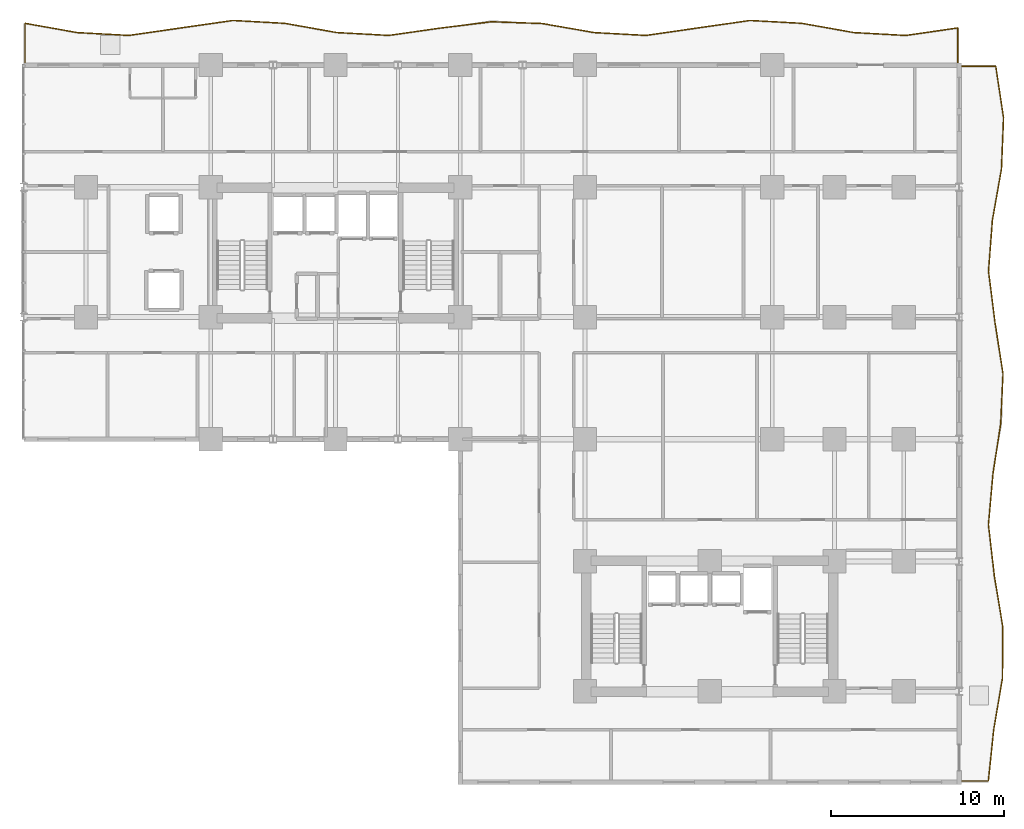
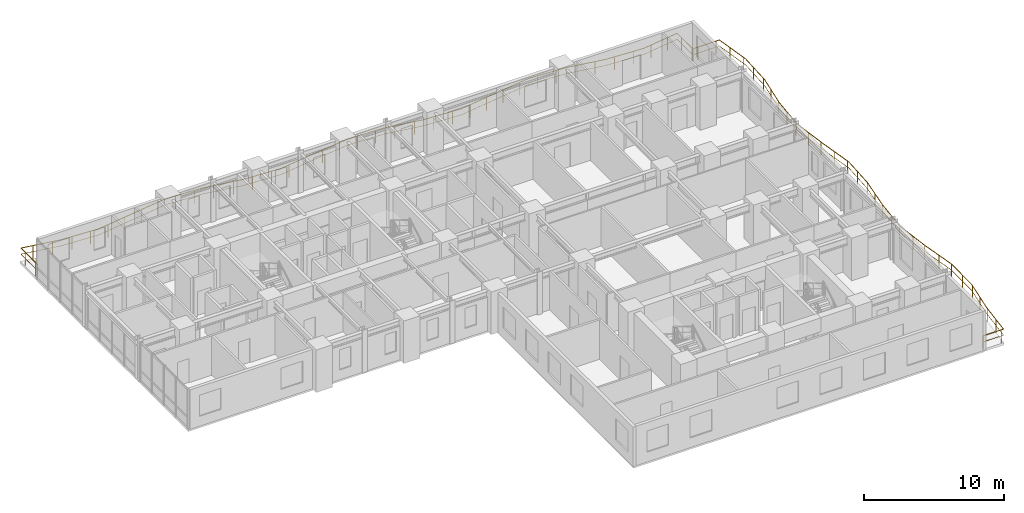
# One storey, part 19 of 19: 2 railings.
"""IFC4 building model written with IfcOpenShell, lengths in metres."""

from ifc_helpers import new_model, si_unit, direction, frame, origin, origin_2d, place, context, subcontext, project, spatial, rectangle, extrude, material, type_object, element, save


model = new_model("IFC4")

# Units and contexts
model_context = context("Model", 3, precision=1e-05, world=origin(), true_north=direction((0.0, 1.0)))
body_context = subcontext(model_context, "Body", "Model", "MODEL_VIEW")
ifc_project = project(units=[si_unit("LENGTHUNIT", "METRE"), si_unit("AREAUNIT", "SQUARE_METRE"), si_unit("VOLUMEUNIT", "CUBIC_METRE"), si_unit("PLANEANGLEUNIT", "RADIAN"), si_unit("MASSUNIT", "GRAM", prefix="KILO")], contexts=[model_context])

# Site, building, storey
site_placement = place(None, origin())
site = spatial("IfcSite", under=ifc_project, at=site_placement, CompositionType="ELEMENT")
building_placement = place(site_placement, origin())
building = spatial("IfcBuilding", under=site, at=building_placement, Name="Kaliganga Portal Commons", CompositionType="ELEMENT")
storey_placement = place(building_placement, frame((0.0, 0.0, 47.5)))
storey = spatial("IfcBuildingStorey", under=building, at=storey_placement, Name="L11", CompositionType="ELEMENT", Elevation=47.5)

# Railings
ifc_material = material(Name="Laminated Safety Glass and Stainless Steel 316", Category="steel")
railing_type = type_object("IfcRailingType", Name="RLG-BAL-1150", PredefinedType="BALUSTRADE", material=ifc_material)
railing_1_placement = place(storey_placement, frame((57.520263671875, 43.205810546875, 0.0)))
element("IfcRailing", 1, at=railing_1_placement, inside=storey, type_object=railing_type, Name="Balcony Guardrail L11 balc_north", PredefinedType="BALUSTRADE", context=body_context, shape_type="SweptSolid", body=[
    extrude(rectangle(XDim=0.048095703125, YDim=0.048095703125, at=origin_2d()), frame((0.0, 0.0, 1.1259765625), z_axis=(-0.000114259597, 0.999999993472, 0.0), x_axis=(-0.999999993472, -0.000114259597, 0.0)), (0.0, 0.0, 1.0), 2.13671875),
    extrude(rectangle(XDim=0.028076171875, YDim=0.028076171875, at=origin_2d()), frame((0.0, 0.0, 0.597900390625), z_axis=(-0.000114259597, 0.999999993472, 0.0), x_axis=(-0.999999993472, -0.000114259597, 0.0)), (0.0, 0.0, 1.0), 2.13671875),
    extrude(rectangle(XDim=0.048095703125, YDim=0.048095703125, at=origin_2d()), frame((-0.000244140625, 2.13671875, 1.1259765625), z_axis=(-0.989750378619, -0.142808221134, 0.0), x_axis=(0.142808221134, -0.989750378619, 0.0)), (0.0, 0.0, 1.0), 3.031005859375),
    extrude(rectangle(XDim=0.028076171875, YDim=0.028076171875, at=origin_2d()), frame((-0.000244140625, 2.13671875, 0.597900390625), z_axis=(-0.989750378619, -0.142808221134, 0.0), x_axis=(0.142808221134, -0.989750378619, 0.0)), (0.0, 0.0, 1.0), 3.031005859375),
    extrude(rectangle(XDim=0.048095703125, YDim=0.048095703125, at=origin_2d()), frame((-3.000244140625, 1.703857421875, 1.1259765625), z_axis=(-0.998485749874, 0.055010974338, 0.0), x_axis=(-0.055010974338, -0.998485749874, 0.0)), (0.0, 0.0, 1.0), 3.004638671875),
    extrude(rectangle(XDim=0.028076171875, YDim=0.028076171875, at=origin_2d()), frame((-3.000244140625, 1.703857421875, 0.597900390625), z_axis=(-0.998485749874, 0.055010974338, 0.0), x_axis=(-0.055010974338, -0.998485749874, 0.0)), (0.0, 0.0, 1.0), 3.004638671875),
    extrude(rectangle(XDim=0.048095703125, YDim=0.048095703125, at=origin_2d()), frame((-6.000244140625, 1.869140625, 1.1259765625), z_axis=(-0.984486939112, 0.175457877332, 0.0), x_axis=(-0.175457877332, -0.984486939112, 0.0)), (0.0, 0.0, 1.0), 3.04736328125),
    extrude(rectangle(XDim=0.028076171875, YDim=0.028076171875, at=origin_2d()), frame((-6.000244140625, 1.869140625, 0.597900390625), z_axis=(-0.984486939112, 0.175457877332, 0.0), x_axis=(-0.175457877332, -0.984486939112, 0.0)), (0.0, 0.0, 1.0), 3.04736328125),
    extrude(rectangle(XDim=0.048095703125, YDim=0.048095703125, at=origin_2d()), frame((-9.000244140625, 2.40380859375, 1.1259765625), z_axis=(-0.998499110246, 0.054767936223, 0.0), x_axis=(-0.054767936223, -0.998499110246, 0.0)), (0.0, 0.0, 1.0), 3.00439453125),
    extrude(rectangle(XDim=0.028076171875, YDim=0.028076171875, at=origin_2d()), frame((-9.000244140625, 2.40380859375, 0.597900390625), z_axis=(-0.998499110246, 0.054767936223, 0.0), x_axis=(-0.054767936223, -0.998499110246, 0.0)), (0.0, 0.0, 1.0), 3.00439453125),
    extrude(rectangle(XDim=0.048095703125, YDim=0.048095703125, at=origin_2d()), frame((-12.000244140625, 2.568359375, 1.1259765625), z_axis=(-0.989773136054, -0.14265040885, 0.0), x_axis=(0.14265040885, -0.989773136054, 0.0)), (0.0, 0.0, 1.0), 3.031005859375),
    extrude(rectangle(XDim=0.028076171875, YDim=0.028076171875, at=origin_2d()), frame((-12.000244140625, 2.568359375, 0.597900390625), z_axis=(-0.989773136054, -0.14265040885, 0.0), x_axis=(0.14265040885, -0.989773136054, 0.0)), (0.0, 0.0, 1.0), 3.031005859375),
    extrude(rectangle(XDim=0.048095703125, YDim=0.048095703125, at=origin_2d()), frame((-15.000244140625, 2.135986328125, 1.1259765625), z_axis=(-0.989841263629, -0.142176906763, 0.0), x_axis=(0.142176906763, -0.989841263629, 0.0)), (0.0, 0.0, 1.0), 3.03076171875),
    extrude(rectangle(XDim=0.028076171875, YDim=0.028076171875, at=origin_2d()), frame((-15.000244140625, 2.135986328125, 0.597900390625), z_axis=(-0.989841263629, -0.142176906763, 0.0), x_axis=(0.142176906763, -0.989841263629, 0.0)), (0.0, 0.0, 1.0), 3.03076171875),
    extrude(rectangle(XDim=0.048095703125, YDim=0.048095703125, at=origin_2d()), frame((-18.000244140625, 1.705078125, 1.1259765625), z_axis=(-0.998499110246, 0.054767936223, 0.0), x_axis=(-0.054767936223, -0.998499110246, 0.0)), (0.0, 0.0, 1.0), 3.00439453125),
    extrude(rectangle(XDim=0.028076171875, YDim=0.028076171875, at=origin_2d()), frame((-18.000244140625, 1.705078125, 0.597900390625), z_axis=(-0.998499110246, 0.054767936223, 0.0), x_axis=(-0.054767936223, -0.998499110246, 0.0)), (0.0, 0.0, 1.0), 3.00439453125),
    extrude(rectangle(XDim=0.048095703125, YDim=0.048095703125, at=origin_2d()), frame((-21.000244140625, 1.86962890625, 1.1259765625), z_axis=(-0.985121564342, 0.171858963887, 0.0), x_axis=(-0.171858963887, -0.985121564342, 0.0)), (0.0, 0.0, 1.0), 3.04443359375),
    extrude(rectangle(XDim=0.028076171875, YDim=0.028076171875, at=origin_2d()), frame((-21.000244140625, 1.86962890625, 0.597900390625), z_axis=(-0.985121564342, 0.171858963887, 0.0), x_axis=(-0.171858963887, -0.985121564342, 0.0)), (0.0, 0.0, 1.0), 3.04443359375),
    extrude(rectangle(XDim=0.048095703125, YDim=0.048095703125, at=origin_2d()), frame((-23.999267578125, 2.392822265625, 1.1259765625), z_axis=(-0.999427528085, 0.0338321756, 0.0), x_axis=(-0.0338321756, -0.999427528085, 0.0)), (0.0, 0.0, 1.0), 2.922607421875),
    extrude(rectangle(XDim=0.028076171875, YDim=0.028076171875, at=origin_2d()), frame((-23.999267578125, 2.392822265625, 0.597900390625), z_axis=(-0.999427528085, 0.0338321756, 0.0), x_axis=(-0.0338321756, -0.999427528085, 0.0)), (0.0, 0.0, 1.0), 2.922607421875),
    extrude(rectangle(XDim=0.048095703125, YDim=0.048095703125, at=origin_2d()), frame((-26.920166015625, 2.49169921875, 1.1259765625), z_axis=(-0.992483283696, -0.12238027449, 0.0), x_axis=(0.12238027449, -0.992483283696, 0.0)), (0.0, 0.0, 1.0), 2.942626953125),
    extrude(rectangle(XDim=0.028076171875, YDim=0.028076171875, at=origin_2d()), frame((-26.920166015625, 2.49169921875, 0.597900390625), z_axis=(-0.992483283696, -0.12238027449, 0.0), x_axis=(0.12238027449, -0.992483283696, 0.0)), (0.0, 0.0, 1.0), 2.942626953125),
    extrude(rectangle(XDim=0.048095703125, YDim=0.048095703125, at=origin_2d()), frame((-29.840576171875, 2.131591796875, 1.1259765625), z_axis=(-0.990076407613, -0.140530093178, 0.0), x_axis=(0.140530093178, -0.990076407613, 0.0)), (0.0, 0.0, 1.0), 3.02978515625),
    extrude(rectangle(XDim=0.028076171875, YDim=0.028076171875, at=origin_2d()), frame((-29.840576171875, 2.131591796875, 0.597900390625), z_axis=(-0.990076407613, -0.140530093178, 0.0), x_axis=(0.140530093178, -0.990076407613, 0.0)), (0.0, 0.0, 1.0), 3.02978515625),
    extrude(rectangle(XDim=0.048095703125, YDim=0.048095703125, at=origin_2d()), frame((-32.84033203125, 1.705810546875, 1.1259765625), z_axis=(-0.998516832602, 0.054443870267, 0.0), x_axis=(-0.054443870267, -0.998516832602, 0.0)), (0.0, 0.0, 1.0), 3.00439453125),
    extrude(rectangle(XDim=0.028076171875, YDim=0.028076171875, at=origin_2d()), frame((-32.84033203125, 1.705810546875, 0.597900390625), z_axis=(-0.998516832602, 0.054443870267, 0.0), x_axis=(-0.054443870267, -0.998516832602, 0.0)), (0.0, 0.0, 1.0), 3.00439453125),
    extrude(rectangle(XDim=0.048095703125, YDim=0.048095703125, at=origin_2d()), frame((-35.84033203125, 1.869384765625, 1.1259765625), z_axis=(-0.984569871158, 0.174991910694, 0.0), x_axis=(-0.174991910694, -0.984569871158, 0.0)), (0.0, 0.0, 1.0), 3.047119140625),
    extrude(rectangle(XDim=0.028076171875, YDim=0.028076171875, at=origin_2d()), frame((-35.84033203125, 1.869384765625, 0.597900390625), z_axis=(-0.984569871158, 0.174991910694, 0.0), x_axis=(-0.174991910694, -0.984569871158, 0.0)), (0.0, 0.0, 1.0), 3.047119140625),
    extrude(rectangle(XDim=0.048095703125, YDim=0.048095703125, at=origin_2d()), frame((-38.84033203125, 2.402587890625, 1.1259765625), z_axis=(-0.998476810296, 0.055172994319, 0.0), x_axis=(-0.055172994319, -0.998476810296, 0.0)), (0.0, 0.0, 1.0), 3.004638671875),
    extrude(rectangle(XDim=0.028076171875, YDim=0.028076171875, at=origin_2d()), frame((-38.84033203125, 2.402587890625, 0.597900390625), z_axis=(-0.998476810296, 0.055172994319, 0.0), x_axis=(-0.055172994319, -0.998476810296, 0.0)), (0.0, 0.0, 1.0), 3.004638671875),
    extrude(rectangle(XDim=0.048095703125, YDim=0.048095703125, at=origin_2d()), frame((-41.84033203125, 2.568359375, 1.1259765625), z_axis=(-0.989795869371, -0.142492585687, 0.0), x_axis=(0.142492585687, -0.989795869371, 0.0)), (0.0, 0.0, 1.0), 3.031005859375),
    extrude(rectangle(XDim=0.028076171875, YDim=0.028076171875, at=origin_2d()), frame((-41.84033203125, 2.568359375, 0.597900390625), z_axis=(-0.989795869371, -0.142492585687, 0.0), x_axis=(0.142492585687, -0.989795869371, 0.0)), (0.0, 0.0, 1.0), 3.031005859375),
    extrude(rectangle(XDim=0.048095703125, YDim=0.048095703125, at=origin_2d()), frame((-44.84033203125, 2.136474609375, 1.1259765625), z_axis=(-0.989761760351, -0.142729316353, 0.0), x_axis=(0.142729316353, -0.989761760351, 0.0)), (0.0, 0.0, 1.0), 3.031005859375),
    extrude(rectangle(XDim=0.028076171875, YDim=0.028076171875, at=origin_2d()), frame((-44.84033203125, 2.136474609375, 0.597900390625), z_axis=(-0.989761760351, -0.142729316353, 0.0), x_axis=(0.142729316353, -0.989761760351, 0.0)), (0.0, 0.0, 1.0), 3.031005859375),
    extrude(rectangle(XDim=0.048095703125, YDim=0.048095703125, at=origin_2d()), frame((-47.84033203125, 1.703857421875, 1.1259765625), z_axis=(-0.998485749874, 0.055010974338, 0.0), x_axis=(-0.055010974338, -0.998485749874, 0.0)), (0.0, 0.0, 1.0), 3.004638671875),
    extrude(rectangle(XDim=0.028076171875, YDim=0.028076171875, at=origin_2d()), frame((-47.84033203125, 1.703857421875, 0.597900390625), z_axis=(-0.998485749874, 0.055010974338, 0.0), x_axis=(-0.055010974338, -0.998485749874, 0.0)), (0.0, 0.0, 1.0), 3.004638671875),
    extrude(rectangle(XDim=0.048095703125, YDim=0.048095703125, at=origin_2d()), frame((-50.84033203125, 1.869140625, 1.1259765625), z_axis=(-0.984459249203, 0.175613173361, 0.0), x_axis=(-0.175613173361, -0.984459249203, 0.0)), (0.0, 0.0, 1.0), 3.04736328125),
    extrude(rectangle(XDim=0.028076171875, YDim=0.028076171875, at=origin_2d()), frame((-50.84033203125, 1.869140625, 0.597900390625), z_axis=(-0.984459249203, 0.175613173361, 0.0), x_axis=(-0.175613173361, -0.984459249203, 0.0)), (0.0, 0.0, 1.0), 3.04736328125),
    extrude(rectangle(XDim=0.048095703125, YDim=0.048095703125, at=origin_2d()), frame((-53.84033203125, 2.404296875, 1.1259765625), z_axis=(-0.00010154346, -0.999999994844, 0.0), x_axis=(0.999999994844, -0.00010154346, 0.0)), (0.0, 0.0, 1.0), 2.404296875),
    extrude(rectangle(XDim=0.028076171875, YDim=0.028076171875, at=origin_2d()), frame((-53.84033203125, 2.404296875, 0.597900390625), z_axis=(-0.00010154346, -0.999999994844, 0.0), x_axis=(0.999999994844, -0.00010154346, 0.0)), (0.0, 0.0, 1.0), 2.404296875),
    extrude(rectangle(XDim=0.0419921875, YDim=0.0419921875, at=origin_2d()), origin(), (0.0, 0.0, 1.0), 1.101806640625),
    extrude(rectangle(XDim=0.0419921875, YDim=0.0419921875, at=origin_2d()), frame((-0.000244140625, 1.5, 0.0)), (0.0, 0.0, 1.0), 1.101806640625),
    extrude(rectangle(XDim=0.0419921875, YDim=0.0419921875, at=origin_2d()), frame((-0.854736328125, 2.013427734375, 0.0)), (0.0, 0.0, 1.0), 1.101806640625),
    extrude(rectangle(XDim=0.0419921875, YDim=0.0419921875, at=origin_2d()), frame((-2.33935546875, 1.79931640625, 0.0)), (0.0, 0.0, 1.0), 1.101806640625),
    extrude(rectangle(XDim=0.0419921875, YDim=0.0419921875, at=origin_2d()), frame((-3.831298828125, 1.749755859375, 0.0)), (0.0, 0.0, 1.0), 1.101806640625),
    extrude(rectangle(XDim=0.0419921875, YDim=0.0419921875, at=origin_2d()), frame((-5.328857421875, 1.832275390625, 0.0)), (0.0, 0.0, 1.0), 1.101806640625),
    extrude(rectangle(XDim=0.0419921875, YDim=0.0419921875, at=origin_2d()), frame((-6.815185546875, 2.014404296875, 0.0)), (0.0, 0.0, 1.0), 1.101806640625),
    extrude(rectangle(XDim=0.0419921875, YDim=0.0419921875, at=origin_2d()), frame((-8.291748046875, 2.277587890625, 0.0)), (0.0, 0.0, 1.0), 1.101806640625),
    extrude(rectangle(XDim=0.0419921875, YDim=0.0419921875, at=origin_2d()), frame((-9.779541015625, 2.446533203125, 0.0)), (0.0, 0.0, 1.0), 1.101806640625),
    extrude(rectangle(XDim=0.0419921875, YDim=0.0419921875, at=origin_2d()), frame((-11.277099609375, 2.52880859375, 0.0)), (0.0, 0.0, 1.0), 1.101806640625),
    extrude(rectangle(XDim=0.0419921875, YDim=0.0419921875, at=origin_2d()), frame((-12.768310546875, 2.457763671875, 0.0)), (0.0, 0.0, 1.0), 1.101806640625),
    extrude(rectangle(XDim=0.0419921875, YDim=0.0419921875, at=origin_2d()), frame((-14.2529296875, 2.24365234375, 0.0)), (0.0, 0.0, 1.0), 1.101806640625),
    extrude(rectangle(XDim=0.0419921875, YDim=0.0419921875, at=origin_2d()), frame((-15.737548828125, 2.030029296875, 0.0)), (0.0, 0.0, 1.0), 1.101806640625),
    extrude(rectangle(XDim=0.0419921875, YDim=0.0419921875, at=origin_2d()), frame((-17.222412109375, 1.81689453125, 0.0)), (0.0, 0.0, 1.0), 1.101806640625),
    extrude(rectangle(XDim=0.0419921875, YDim=0.0419921875, at=origin_2d()), frame((-18.71337890625, 1.744140625, 0.0)), (0.0, 0.0, 1.0), 1.101806640625),
    extrude(rectangle(XDim=0.0419921875, YDim=0.0419921875, at=origin_2d()), frame((-20.2109375, 1.826416015625, 0.0)), (0.0, 0.0, 1.0), 1.101806640625),
    extrude(rectangle(XDim=0.0419921875, YDim=0.0419921875, at=origin_2d()), frame((-21.69921875, 1.99169921875, 0.0)), (0.0, 0.0, 1.0), 1.101806640625),
    extrude(rectangle(XDim=0.0419921875, YDim=0.0419921875, at=origin_2d()), frame((-23.177001953125, 2.249267578125, 0.0)), (0.0, 0.0, 1.0), 1.101806640625),
    extrude(rectangle(XDim=0.0419921875, YDim=0.0419921875, at=origin_2d()), frame((-24.6640625, 2.415283203125, 0.0)), (0.0, 0.0, 1.0), 1.101806640625),
    extrude(rectangle(XDim=0.0419921875, YDim=0.0419921875, at=origin_2d()), frame((-26.163330078125, 2.466064453125, 0.0)), (0.0, 0.0, 1.0), 1.101806640625),
    extrude(rectangle(XDim=0.0419921875, YDim=0.0419921875, at=origin_2d()), frame((-27.6572265625, 2.40087890625, 0.0)), (0.0, 0.0, 1.0), 1.101806640625),
    extrude(rectangle(XDim=0.0419921875, YDim=0.0419921875, at=origin_2d()), frame((-29.14599609375, 2.21728515625, 0.0)), (0.0, 0.0, 1.0), 1.101806640625),
    extrude(rectangle(XDim=0.0419921875, YDim=0.0419921875, at=origin_2d()), frame((-30.6328125, 2.01904296875, 0.0)), (0.0, 0.0, 1.0), 1.101806640625),
    extrude(rectangle(XDim=0.0419921875, YDim=0.0419921875, at=origin_2d()), frame((-32.117919921875, 1.808349609375, 0.0)), (0.0, 0.0, 1.0), 1.101806640625),
    extrude(rectangle(XDim=0.0419921875, YDim=0.0419921875, at=origin_2d()), frame((-33.609619140625, 1.747802734375, 0.0)), (0.0, 0.0, 1.0), 1.101806640625),
    extrude(rectangle(XDim=0.0419921875, YDim=0.0419921875, at=origin_2d()), frame((-35.107421875, 1.829345703125, 0.0)), (0.0, 0.0, 1.0), 1.101806640625),
    extrude(rectangle(XDim=0.0419921875, YDim=0.0419921875, at=origin_2d()), frame((-36.594482421875, 2.00341796875, 0.0)), (0.0, 0.0, 1.0), 1.101806640625),
    extrude(rectangle(XDim=0.0419921875, YDim=0.0419921875, at=origin_2d()), frame((-38.0712890625, 2.265869140625, 0.0)), (0.0, 0.0, 1.0), 1.101806640625),
    extrude(rectangle(XDim=0.0419921875, YDim=0.0419921875, at=origin_2d()), frame((-39.55810546875, 2.442138671875, 0.0)), (0.0, 0.0, 1.0), 1.101806640625),
    extrude(rectangle(XDim=0.0419921875, YDim=0.0419921875, at=origin_2d()), frame((-41.055908203125, 2.52490234375, 0.0)), (0.0, 0.0, 1.0), 1.101806640625),
    extrude(rectangle(XDim=0.0419921875, YDim=0.0419921875, at=origin_2d()), frame((-42.54736328125, 2.466552734375, 0.0)), (0.0, 0.0, 1.0), 1.101806640625),
    extrude(rectangle(XDim=0.0419921875, YDim=0.0419921875, at=origin_2d()), frame((-44.031982421875, 2.2529296875, 0.0)), (0.0, 0.0, 1.0), 1.101806640625),
    extrude(rectangle(XDim=0.0419921875, YDim=0.0419921875, at=origin_2d()), frame((-45.5166015625, 2.038818359375, 0.0)), (0.0, 0.0, 1.0), 1.101806640625),
    extrude(rectangle(XDim=0.0419921875, YDim=0.0419921875, at=origin_2d()), frame((-47.00146484375, 1.824951171875, 0.0)), (0.0, 0.0, 1.0), 1.101806640625),
    extrude(rectangle(XDim=0.0419921875, YDim=0.0419921875, at=origin_2d()), frame((-48.49169921875, 1.73974609375, 0.0)), (0.0, 0.0, 1.0), 1.101806640625),
    extrude(rectangle(XDim=0.0419921875, YDim=0.0419921875, at=origin_2d()), frame((-49.989501953125, 1.822265625, 0.0)), (0.0, 0.0, 1.0), 1.101806640625),
    extrude(rectangle(XDim=0.0419921875, YDim=0.0419921875, at=origin_2d()), frame((-51.47802734375, 1.98291015625, 0.0)), (0.0, 0.0, 1.0), 1.101806640625),
    extrude(rectangle(XDim=0.0419921875, YDim=0.0419921875, at=origin_2d()), frame((-52.954833984375, 2.246337890625, 0.0)), (0.0, 0.0, 1.0), 1.101806640625),
    extrude(rectangle(XDim=0.0419921875, YDim=0.0419921875, at=origin_2d()), frame((-53.84033203125, 1.803955078125, 0.0)), (0.0, 0.0, 1.0), 1.101806640625),
    extrude(rectangle(XDim=0.0419921875, YDim=0.0419921875, at=origin_2d()), frame((-53.840576171875, 0.303955078125, 0.0)), (0.0, 0.0, 1.0), 1.101806640625),
    extrude(rectangle(XDim=0.0419921875, YDim=0.0419921875, at=origin_2d()), frame((-53.840576171875, 0.0, 0.0)), (0.0, 0.0, 1.0), 1.101806640625),
])
railing_2_placement = place(storey_placement, frame((57.607421875, 1.879638671875, 0.0)))
element("IfcRailing", 2, at=railing_2_placement, inside=storey, type_object=railing_type, Name="Balcony Guardrail L11 balc_east", PredefinedType="BALUSTRADE", context=body_context, shape_type="SweptSolid", body=[
    extrude(rectangle(XDim=0.048095703125, YDim=0.048095703125, at=origin_2d()), frame((0.0, 0.0, 1.1259765625), z_axis=(0.99999998944, 0.000145327712, 0.0), x_axis=(-0.000145327712, 0.99999998944, 0.0)), (0.0, 0.0, 1.0), 1.679931640625),
    extrude(rectangle(XDim=0.028076171875, YDim=0.028076171875, at=origin_2d()), frame((0.0, 0.0, 0.597900390625), z_axis=(0.99999998944, 0.000145327712, 0.0), x_axis=(-0.000145327712, 0.99999998944, 0.0)), (0.0, 0.0, 1.0), 1.679931640625),
    extrude(rectangle(XDim=0.048095703125, YDim=0.048095703125, at=origin_2d()), frame((1.679931640625, 0.000244140625, 1.1259765625), z_axis=(0.103137283584, 0.994667130619, 0.0), x_axis=(-0.994667130619, 0.103137283584, 0.0)), (0.0, 0.0, 1.0), 2.97314453125),
    extrude(rectangle(XDim=0.028076171875, YDim=0.028076171875, at=origin_2d()), frame((1.679931640625, 0.000244140625, 0.597900390625), z_axis=(0.103137283584, 0.994667130619, 0.0), x_axis=(-0.994667130619, 0.103137283584, 0.0)), (0.0, 0.0, 1.0), 2.97314453125),
    extrude(rectangle(XDim=0.048095703125, YDim=0.048095703125, at=origin_2d()), frame((1.986572265625, 2.95751953125, 1.1259765625), z_axis=(0.168541402358, 0.985694575257, 0.0), x_axis=(-0.985694575257, 0.168541402358, 0.0)), (0.0, 0.0, 1.0), 3.0),
    extrude(rectangle(XDim=0.028076171875, YDim=0.028076171875, at=origin_2d()), frame((1.986572265625, 2.95751953125, 0.597900390625), z_axis=(0.168541402358, 0.985694575257, 0.0), x_axis=(-0.985694575257, 0.168541402358, 0.0)), (0.0, 0.0, 1.0), 3.0),
    extrude(rectangle(XDim=0.048095703125, YDim=0.048095703125, at=origin_2d()), frame((2.4921875, 5.91455078125, 1.1259765625), z_axis=(0.0076781092, 0.999970522885, 0.0), x_axis=(-0.999970522885, 0.0076781092, 0.0)), (0.0, 0.0, 1.0), 2.95703125),
    extrude(rectangle(XDim=0.028076171875, YDim=0.028076171875, at=origin_2d()), frame((2.4921875, 5.91455078125, 0.597900390625), z_axis=(0.0076781092, 0.999970522885, 0.0), x_axis=(-0.999970522885, 0.0076781092, 0.0)), (0.0, 0.0, 1.0), 2.95703125),
    extrude(rectangle(XDim=0.048095703125, YDim=0.048095703125, at=origin_2d()), frame((2.514892578125, 8.87158203125, 1.1259765625), z_axis=(-0.163461188749, 0.986549765482, 0.0), x_axis=(-0.986549765482, -0.163461188749, 0.0)), (0.0, 0.0, 1.0), 2.99755859375),
    extrude(rectangle(XDim=0.028076171875, YDim=0.028076171875, at=origin_2d()), frame((2.514892578125, 8.87158203125, 0.597900390625), z_axis=(-0.163461188749, 0.986549765482, 0.0), x_axis=(-0.986549765482, -0.163461188749, 0.0)), (0.0, 0.0, 1.0), 2.99755859375),
    extrude(rectangle(XDim=0.048095703125, YDim=0.048095703125, at=origin_2d()), frame((2.02490234375, 11.828857421875, 1.1259765625), z_axis=(-0.114652123558, 0.993405702905, 0.0), x_axis=(-0.993405702905, -0.114652123558, 0.0)), (0.0, 0.0, 1.0), 2.976806640625),
    extrude(rectangle(XDim=0.028076171875, YDim=0.028076171875, at=origin_2d()), frame((2.02490234375, 11.828857421875, 0.597900390625), z_axis=(-0.114652123558, 0.993405702905, 0.0), x_axis=(-0.993405702905, -0.114652123558, 0.0)), (0.0, 0.0, 1.0), 2.976806640625),
    extrude(rectangle(XDim=0.048095703125, YDim=0.048095703125, at=origin_2d()), frame((1.68359375, 14.7861328125, 1.1259765625), z_axis=(0.088815385838, 0.996048104882, 0.0), x_axis=(-0.996048104882, 0.088815385838, 0.0)), (0.0, 0.0, 1.0), 2.96875),
    extrude(rectangle(XDim=0.028076171875, YDim=0.028076171875, at=origin_2d()), frame((1.68359375, 14.7861328125, 0.597900390625), z_axis=(0.088815385838, 0.996048104882, 0.0), x_axis=(-0.996048104882, 0.088815385838, 0.0)), (0.0, 0.0, 1.0), 2.96875),
    extrude(rectangle(XDim=0.048095703125, YDim=0.048095703125, at=origin_2d()), frame((1.947265625, 17.7431640625, 1.1259765625), z_axis=(0.151641202733, 0.988435605203, 0.0), x_axis=(-0.988435605203, 0.151641202733, 0.0)), (0.0, 0.0, 1.0), 2.910888671875),
    extrude(rectangle(XDim=0.028076171875, YDim=0.028076171875, at=origin_2d()), frame((1.947265625, 17.7431640625, 0.597900390625), z_axis=(0.151641202733, 0.988435605203, 0.0), x_axis=(-0.988435605203, 0.151641202733, 0.0)), (0.0, 0.0, 1.0), 2.910888671875),
    extrude(rectangle(XDim=0.048095703125, YDim=0.048095703125, at=origin_2d()), frame((2.388671875, 20.620361328125, 1.1259765625), z_axis=(0.046506612295, 0.998917982125, 0.0), x_axis=(-0.998917982125, 0.046506612295, 0.0)), (0.0, 0.0, 1.0), 2.882080078125),
    extrude(rectangle(XDim=0.028076171875, YDim=0.028076171875, at=origin_2d()), frame((2.388671875, 20.620361328125, 0.597900390625), z_axis=(0.046506612295, 0.998917982125, 0.0), x_axis=(-0.998917982125, 0.046506612295, 0.0)), (0.0, 0.0, 1.0), 2.882080078125),
    extrude(rectangle(XDim=0.048095703125, YDim=0.048095703125, at=origin_2d()), frame((2.522705078125, 23.499267578125, 1.1259765625), z_axis=(-0.153388181344, 0.988166011267, 0.0), x_axis=(-0.988166011267, -0.153388181344, 0.0)), (0.0, 0.0, 1.0), 2.99072265625),
    extrude(rectangle(XDim=0.028076171875, YDim=0.028076171875, at=origin_2d()), frame((2.522705078125, 23.499267578125, 0.597900390625), z_axis=(-0.153388181344, 0.988166011267, 0.0), x_axis=(-0.988166011267, -0.153388181344, 0.0)), (0.0, 0.0, 1.0), 2.99072265625),
    extrude(rectangle(XDim=0.048095703125, YDim=0.048095703125, at=origin_2d()), frame((2.06396484375, 26.45458984375, 1.1259765625), z_axis=(-0.126040341348, 0.992025116795, 0.0), x_axis=(-0.992025116795, -0.126040341348, 0.0)), (0.0, 0.0, 1.0), 2.98095703125),
    extrude(rectangle(XDim=0.028076171875, YDim=0.028076171875, at=origin_2d()), frame((2.06396484375, 26.45458984375, 0.597900390625), z_axis=(-0.126040341348, 0.992025116795, 0.0), x_axis=(-0.992025116795, -0.126040341348, 0.0)), (0.0, 0.0, 1.0), 2.98095703125),
    extrude(rectangle(XDim=0.048095703125, YDim=0.048095703125, at=origin_2d()), frame((1.688232421875, 29.411865234375, 1.1259765625), z_axis=(0.075412123975, 0.997152451513, 0.0), x_axis=(-0.997152451513, 0.075412123975, 0.0)), (0.0, 0.0, 1.0), 2.965576171875),
    extrude(rectangle(XDim=0.028076171875, YDim=0.028076171875, at=origin_2d()), frame((1.688232421875, 29.411865234375, 0.597900390625), z_axis=(0.075412123975, 0.997152451513, 0.0), x_axis=(-0.997152451513, 0.075412123975, 0.0)), (0.0, 0.0, 1.0), 2.965576171875),
    extrude(rectangle(XDim=0.048095703125, YDim=0.048095703125, at=origin_2d()), frame((1.911865234375, 32.368896484375, 1.1259765625), z_axis=(0.17460606148, 0.984638371837, 0.0), x_axis=(-0.984638371837, 0.17460606148, 0.0)), (0.0, 0.0, 1.0), 3.00341796875),
    extrude(rectangle(XDim=0.028076171875, YDim=0.028076171875, at=origin_2d()), frame((1.911865234375, 32.368896484375, 0.597900390625), z_axis=(0.17460606148, 0.984638371837, 0.0), x_axis=(-0.984638371837, 0.17460606148, 0.0)), (0.0, 0.0, 1.0), 3.00341796875),
    extrude(rectangle(XDim=0.048095703125, YDim=0.048095703125, at=origin_2d()), frame((2.436279296875, 35.326171875, 1.1259765625), z_axis=(0.039925211978, 0.999202670857, 0.0), x_axis=(-0.999202670857, 0.039925211978, 0.0)), (0.0, 0.0, 1.0), 2.959716796875),
    extrude(rectangle(XDim=0.028076171875, YDim=0.028076171875, at=origin_2d()), frame((2.436279296875, 35.326171875, 0.597900390625), z_axis=(0.039925211978, 0.999202670857, 0.0), x_axis=(-0.999202670857, 0.039925211978, 0.0)), (0.0, 0.0, 1.0), 2.959716796875),
    extrude(rectangle(XDim=0.048095703125, YDim=0.048095703125, at=origin_2d()), frame((2.554443359375, 38.283447265625, 1.1259765625), z_axis=(-0.149793288617, 0.98871733609, 0.0), x_axis=(-0.98871733609, -0.149793288617, 0.0)), (0.0, 0.0, 1.0), 2.99072265625),
    extrude(rectangle(XDim=0.028076171875, YDim=0.028076171875, at=origin_2d()), frame((2.554443359375, 38.283447265625, 0.597900390625), z_axis=(-0.149793288617, 0.98871733609, 0.0), x_axis=(-0.98871733609, -0.149793288617, 0.0)), (0.0, 0.0, 1.0), 2.99072265625),
    extrude(rectangle(XDim=0.048095703125, YDim=0.048095703125, at=origin_2d()), frame((2.1064453125, 41.240478515625, 1.1259765625), z_axis=(-0.999999993283, 0.000115901715, 0.0), x_axis=(-0.000115901715, -0.999999993283, 0.0)), (0.0, 0.0, 1.0), 2.1064453125),
    extrude(rectangle(XDim=0.028076171875, YDim=0.028076171875, at=origin_2d()), frame((2.1064453125, 41.240478515625, 0.597900390625), z_axis=(-0.999999993283, 0.000115901715, 0.0), x_axis=(-0.000115901715, -0.999999993283, 0.0)), (0.0, 0.0, 1.0), 2.1064453125),
    extrude(rectangle(XDim=0.0419921875, YDim=0.0419921875, at=origin_2d()), origin(), (0.0, 0.0, 1.0), 1.101806640625),
    extrude(rectangle(XDim=0.0419921875, YDim=0.0419921875, at=origin_2d()), frame((1.5, 0.000244140625, 0.0)), (0.0, 0.0, 1.0), 1.101806640625),
    extrude(rectangle(XDim=0.0419921875, YDim=0.0419921875, at=origin_2d()), frame((1.816162109375, 1.313232421875, 0.0)), (0.0, 0.0, 1.0), 1.101806640625),
    extrude(rectangle(XDim=0.0419921875, YDim=0.0419921875, at=origin_2d()), frame((1.970703125, 2.80517578125, 0.0)), (0.0, 0.0, 1.0), 1.101806640625),
    extrude(rectangle(XDim=0.0419921875, YDim=0.0419921875, at=origin_2d()), frame((2.213623046875, 4.28515625, 0.0)), (0.0, 0.0, 1.0), 1.101806640625),
    extrude(rectangle(XDim=0.0419921875, YDim=0.0419921875, at=origin_2d()), frame((2.46630859375, 5.763671875, 0.0)), (0.0, 0.0, 1.0), 1.101806640625),
    extrude(rectangle(XDim=0.0419921875, YDim=0.0419921875, at=origin_2d()), frame((2.50244140625, 7.261474609375, 0.0)), (0.0, 0.0, 1.0), 1.101806640625),
    extrude(rectangle(XDim=0.0419921875, YDim=0.0419921875, at=origin_2d()), frame((2.514892578125, 8.87158203125, 0.0)), (0.0, 0.0, 1.0), 1.101806640625),
    extrude(rectangle(XDim=0.0419921875, YDim=0.0419921875, at=origin_2d()), frame((2.28759765625, 10.24267578125, 0.0)), (0.0, 0.0, 1.0), 1.101806640625),
    extrude(rectangle(XDim=0.0419921875, YDim=0.0419921875, at=origin_2d()), frame((2.02490234375, 11.828857421875, 0.0)), (0.0, 0.0, 1.0), 1.101806640625),
    extrude(rectangle(XDim=0.0419921875, YDim=0.0419921875, at=origin_2d()), frame((1.865234375, 13.2119140625, 0.0)), (0.0, 0.0, 1.0), 1.101806640625),
    extrude(rectangle(XDim=0.0419921875, YDim=0.0419921875, at=origin_2d()), frame((1.68359375, 14.7861328125, 0.0)), (0.0, 0.0, 1.0), 1.101806640625),
    extrude(rectangle(XDim=0.0419921875, YDim=0.0419921875, at=origin_2d()), frame((1.809326171875, 16.19580078125, 0.0)), (0.0, 0.0, 1.0), 1.101806640625),
    extrude(rectangle(XDim=0.0419921875, YDim=0.0419921875, at=origin_2d()), frame((1.947265625, 17.7431640625, 0.0)), (0.0, 0.0, 1.0), 1.101806640625),
    extrude(rectangle(XDim=0.0419921875, YDim=0.0419921875, at=origin_2d()), frame((2.166748046875, 19.173095703125, 0.0)), (0.0, 0.0, 1.0), 1.101806640625),
    extrude(rectangle(XDim=0.0419921875, YDim=0.0419921875, at=origin_2d()), frame((2.390380859375, 20.656005859375, 0.0)), (0.0, 0.0, 1.0), 1.101806640625),
    extrude(rectangle(XDim=0.0419921875, YDim=0.0419921875, at=origin_2d()), frame((2.460205078125, 22.154541015625, 0.0)), (0.0, 0.0, 1.0), 1.101806640625),
    extrude(rectangle(XDim=0.0419921875, YDim=0.0419921875, at=origin_2d()), frame((2.4990234375, 23.651123046875, 0.0)), (0.0, 0.0, 1.0), 1.101806640625),
    extrude(rectangle(XDim=0.0419921875, YDim=0.0419921875, at=origin_2d()), frame((2.26904296875, 25.13330078125, 0.0)), (0.0, 0.0, 1.0), 1.101806640625),
    extrude(rectangle(XDim=0.0419921875, YDim=0.0419921875, at=origin_2d()), frame((2.04345703125, 26.6162109375, 0.0)), (0.0, 0.0, 1.0), 1.101806640625),
    extrude(rectangle(XDim=0.0419921875, YDim=0.0419921875, at=origin_2d()), frame((1.854248046875, 28.104248046875, 0.0)), (0.0, 0.0, 1.0), 1.101806640625),
    extrude(rectangle(XDim=0.0419921875, YDim=0.0419921875, at=origin_2d()), frame((1.701904296875, 29.59326171875, 0.0)), (0.0, 0.0, 1.0), 1.101806640625),
    extrude(rectangle(XDim=0.0419921875, YDim=0.0419921875, at=origin_2d()), frame((1.815185546875, 31.089111328125, 0.0)), (0.0, 0.0, 1.0), 1.101806640625),
    extrude(rectangle(XDim=0.0419921875, YDim=0.0419921875, at=origin_2d()), frame((1.94970703125, 32.58203125, 0.0)), (0.0, 0.0, 1.0), 1.101806640625),
    extrude(rectangle(XDim=0.0419921875, YDim=0.0419921875, at=origin_2d()), frame((2.211669921875, 34.05908203125, 0.0)), (0.0, 0.0, 1.0), 1.101806640625),
    extrude(rectangle(XDim=0.0419921875, YDim=0.0419921875, at=origin_2d()), frame((2.44482421875, 35.5390625, 0.0)), (0.0, 0.0, 1.0), 1.101806640625),
    extrude(rectangle(XDim=0.0419921875, YDim=0.0419921875, at=origin_2d()), frame((2.504638671875, 37.037841796875, 0.0)), (0.0, 0.0, 1.0), 1.101806640625),
    extrude(rectangle(XDim=0.0419921875, YDim=0.0419921875, at=origin_2d()), frame((2.5166015625, 38.533935546875, 0.0)), (0.0, 0.0, 1.0), 1.101806640625),
    extrude(rectangle(XDim=0.0419921875, YDim=0.0419921875, at=origin_2d()), frame((2.291748046875, 40.01708984375, 0.0)), (0.0, 0.0, 1.0), 1.101806640625),
    extrude(rectangle(XDim=0.0419921875, YDim=0.0419921875, at=origin_2d()), frame((1.84375, 41.240478515625, 0.0)), (0.0, 0.0, 1.0), 1.101806640625),
    extrude(rectangle(XDim=0.0419921875, YDim=0.0419921875, at=origin_2d()), frame((0.34375, 41.24072265625, 0.0)), (0.0, 0.0, 1.0), 1.101806640625),
    extrude(rectangle(XDim=0.0419921875, YDim=0.0419921875, at=origin_2d()), frame((0.0, 41.24072265625, 0.0)), (0.0, 0.0, 1.0), 1.101806640625),
])

save(model, "model.ifc")
